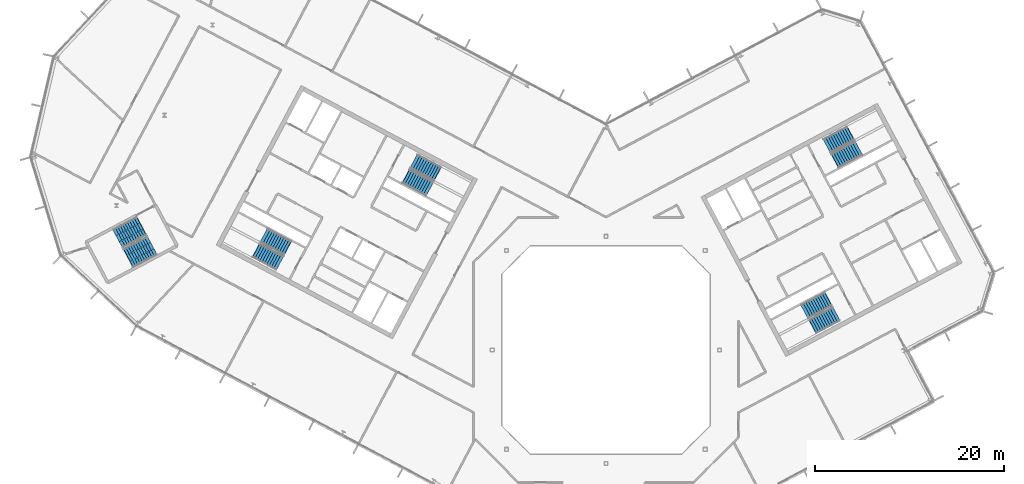
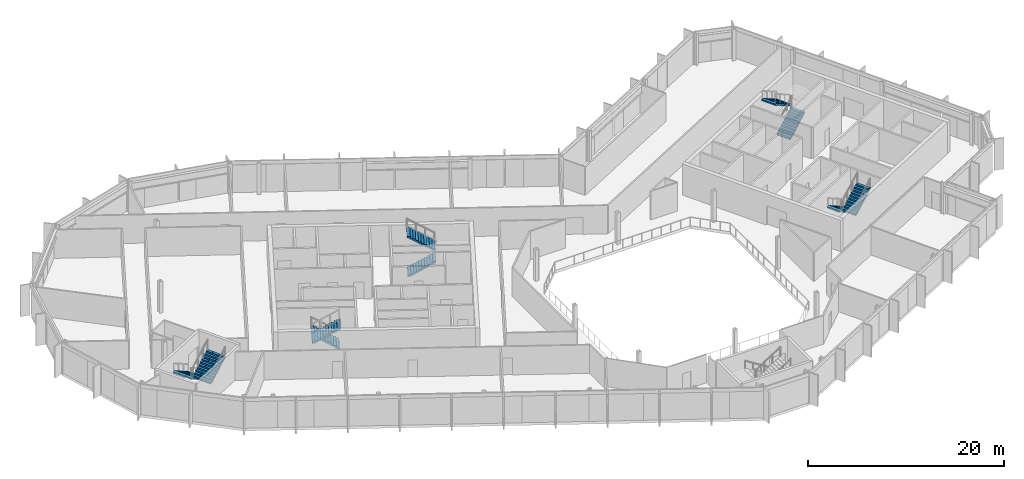
# One storey, part 18 of 26: 10 stair flights, 5 elements without a shape of their own.
"""IFC4 building model written with IfcOpenShell, lengths in metres."""

from ifc_helpers import new_model, si_unit, direction, frame, origin, place, context, subcontext, project, spatial, polyline, outline, extrude, material, type_object, element, aggregate, save


model = new_model("IFC4")

# Units and contexts
model_context = context("Model", 3, precision=1e-05, world=origin(), true_north=direction((0.0, 1.0)))
body_context = subcontext(model_context, "Body", "Model", "MODEL_VIEW")
ifc_project = project(units=[si_unit("LENGTHUNIT", "METRE"), si_unit("AREAUNIT", "SQUARE_METRE"), si_unit("VOLUMEUNIT", "CUBIC_METRE"), si_unit("PLANEANGLEUNIT", "RADIAN"), si_unit("MASSUNIT", "GRAM", prefix="KILO")], contexts=[model_context])

# Site, building, storey
site_placement = place(None, origin())
site = spatial("IfcSite", under=ifc_project, at=site_placement, CompositionType="ELEMENT")
building_placement = place(site_placement, origin())
building = spatial("IfcBuilding", under=site, at=building_placement, Name="Cormorant Relay Tower", CompositionType="ELEMENT")
storey_placement = place(building_placement, frame((0.0, 0.0, 269.699951171875)))
storey = spatial("IfcBuildingStorey", under=building, at=storey_placement, Name="L60", CompositionType="ELEMENT", Elevation=269.699951171875)

# Stair, stair flights
ifc_material_1 = material(Name="Concrete 40 MPa", Category="concrete")
stair_type_1 = type_object("IfcStairType", Name="Exit stair 1500", PredefinedType="HALF_TURN_STAIR", material=ifc_material_1)
stair_1_placement = place(storey_placement, origin())
stair_1 = element("IfcStair", 1, at=stair_1_placement, inside=storey, type_object=stair_type_1, Name="L60 Stair", PredefinedType="HALF_TURN_STAIR")
ifc_material_2 = material(Name="Concrete 40 MPa", Category="concrete")
stair_flight_type_1 = type_object("IfcStairFlightType", Name="Exit stair flight 1650", PredefinedType="STRAIGHT", material=ifc_material_2)
stair_flight_1_placement = place(storey_placement, frame((-21.114501953125, 18.33349609375, 0.0), z_axis=(0.0, 0.0, 1.0), x_axis=(0.882947592859, -0.469471562786, 0.0)))
stair_flight_1 = element("IfcStairFlight", 2, at=stair_flight_1_placement, type_object=stair_flight_type_1, Name="A1 flight 1", NumberOfRisers=11, NumberOfTreads=10, PredefinedType="STRAIGHT", RiserHeight=0.177272727, TreadLength=0.28, context=body_context, shape_type="SweptSolid", body=[
    extrude(outline(polyline([(-0.050048828125, -0.080078125), (-0.050048828125, 0.0), (0.0, 0.0), (0.0, 0.17724609375), (0.280029296875, 0.17724609375), (0.280029296875, 0.3544921875), (0.56005859375, 0.3544921875), (0.56005859375, 0.53173828125), (0.840087890625, 0.53173828125), (0.840087890625, 0.708984375), (1.1201171875, 0.708984375), (1.1201171875, 0.886474609375), (1.39990234375, 0.886474609375), (1.39990234375, 1.063720703125), (1.679931640625, 1.063720703125), (1.679931640625, 1.240966796875), (1.9599609375, 1.240966796875), (1.9599609375, 1.418212890625), (2.239990234375, 1.418212890625), (2.239990234375, 1.595458984375), (2.52001953125, 1.595458984375), (2.52001953125, 1.772705078125), (2.800048828125, 1.772705078125), (2.85009765625, 1.772705078125), (2.85009765625, 1.59521484375), (2.800048828125, 1.59521484375), (0.2802734375, 0.0), (-0.050048828125, -0.080078125)])), frame((0.0, 0.824951171875, 0.0), z_axis=(0.0, -1.0, 0.0), x_axis=(1.0, 0.0, 0.0)), (0.0, 0.0, 1.0), 1.64990234375),
])
stair_flight_2_placement = place(storey_placement, frame((-17.797119140625, 18.6083984375, 1.949951171875), z_axis=(0.0, 0.0, 1.0), x_axis=(-0.882947592859, 0.469471562786, 0.0)))
stair_flight_2 = element("IfcStairFlight", 3, at=stair_flight_2_placement, type_object=stair_flight_type_1, Name="A1 flight 2", NumberOfRisers=11, NumberOfTreads=10, PredefinedType="STRAIGHT", RiserHeight=0.177272727, TreadLength=0.28, context=body_context, shape_type="SweptSolid", body=[
    extrude(outline(polyline([(-0.050048828125, -0.080078125), (-0.050048828125, 0.0), (0.0, 0.0), (0.0, 0.17724609375), (0.280029296875, 0.17724609375), (0.280029296875, 0.3544921875), (0.56005859375, 0.3544921875), (0.56005859375, 0.53173828125), (0.840087890625, 0.53173828125), (0.840087890625, 0.708984375), (1.1201171875, 0.708984375), (1.1201171875, 0.886474609375), (1.39990234375, 0.886474609375), (1.39990234375, 1.063720703125), (1.679931640625, 1.063720703125), (1.679931640625, 1.240966796875), (1.9599609375, 1.240966796875), (1.9599609375, 1.418212890625), (2.239990234375, 1.418212890625), (2.239990234375, 1.595458984375), (2.52001953125, 1.595458984375), (2.52001953125, 1.772705078125), (2.800048828125, 1.772705078125), (2.85009765625, 1.772705078125), (2.85009765625, 1.59521484375), (2.800048828125, 1.59521484375), (0.2802734375, 0.0), (-0.050048828125, -0.080078125)])), frame((0.0, 0.824951171875, 0.0), z_axis=(0.0, -1.0, 0.0), x_axis=(1.0, 0.0, 0.0)), (0.0, 0.0, 1.0), 1.64990234375),
])
aggregate(stair_1, [stair_flight_1, stair_flight_2])

stair_2_placement = place(storey_placement, origin())
stair_2 = element("IfcStair", 4, at=stair_2_placement, inside=storey, type_object=stair_type_1, Name="L60 Stair", PredefinedType="HALF_TURN_STAIR")
stair_flight_3_placement = place(storey_placement, frame((-33.62841796875, 10.773681640625, 0.0), z_axis=(0.0, 0.0, 1.0), x_axis=(-0.882947592859, 0.469471562786, 0.0)))
stair_flight_3 = element("IfcStairFlight", 5, at=stair_flight_3_placement, type_object=stair_flight_type_1, Name="A2 flight 1", NumberOfRisers=11, NumberOfTreads=10, PredefinedType="STRAIGHT", RiserHeight=0.177272727, TreadLength=0.28, context=body_context, shape_type="SweptSolid", body=[
    extrude(outline(polyline([(-0.050048828125, -0.080078125), (-0.050048828125, 0.0), (0.0, 0.0), (0.0, 0.17724609375), (0.280029296875, 0.17724609375), (0.280029296875, 0.3544921875), (0.56005859375, 0.3544921875), (0.56005859375, 0.53173828125), (0.840087890625, 0.53173828125), (0.840087890625, 0.708984375), (1.1201171875, 0.708984375), (1.1201171875, 0.886474609375), (1.39990234375, 0.886474609375), (1.39990234375, 1.063720703125), (1.679931640625, 1.063720703125), (1.679931640625, 1.240966796875), (1.9599609375, 1.240966796875), (1.9599609375, 1.418212890625), (2.239990234375, 1.418212890625), (2.239990234375, 1.595458984375), (2.52001953125, 1.595458984375), (2.52001953125, 1.772705078125), (2.800048828125, 1.772705078125), (2.85009765625, 1.772705078125), (2.85009765625, 1.59521484375), (2.800048828125, 1.59521484375), (0.2802734375, 0.0), (-0.050048828125, -0.080078125)])), frame((0.0, 0.824951171875, 0.0), z_axis=(0.0, -1.0, 0.0), x_axis=(1.0, 0.0, 0.0)), (0.0, 0.0, 1.0), 1.64990234375),
])
stair_flight_4_placement = place(storey_placement, frame((-36.945556640625, 10.498779296875, 1.949951171875), z_axis=(0.0, 0.0, 1.0), x_axis=(0.882947592859, -0.469471562786, 0.0)))
stair_flight_4 = element("IfcStairFlight", 6, at=stair_flight_4_placement, type_object=stair_flight_type_1, Name="A2 flight 2", NumberOfRisers=11, NumberOfTreads=10, PredefinedType="STRAIGHT", RiserHeight=0.177272727, TreadLength=0.28, context=body_context, shape_type="SweptSolid", body=[
    extrude(outline(polyline([(-0.050048828125, -0.080078125), (-0.050048828125, 0.0), (0.0, 0.0), (0.0, 0.17724609375), (0.280029296875, 0.17724609375), (0.280029296875, 0.3544921875), (0.56005859375, 0.3544921875), (0.56005859375, 0.53173828125), (0.840087890625, 0.53173828125), (0.840087890625, 0.708984375), (1.1201171875, 0.708984375), (1.1201171875, 0.886474609375), (1.39990234375, 0.886474609375), (1.39990234375, 1.063720703125), (1.679931640625, 1.063720703125), (1.679931640625, 1.240966796875), (1.9599609375, 1.240966796875), (1.9599609375, 1.418212890625), (2.239990234375, 1.418212890625), (2.239990234375, 1.595458984375), (2.52001953125, 1.595458984375), (2.52001953125, 1.772705078125), (2.800048828125, 1.772705078125), (2.85009765625, 1.772705078125), (2.85009765625, 1.59521484375), (2.800048828125, 1.59521484375), (0.2802734375, 0.0), (-0.050048828125, -0.080078125)])), frame((0.0, 0.824951171875, 0.0), z_axis=(0.0, -1.0, 0.0), x_axis=(1.0, 0.0, 0.0)), (0.0, 0.0, 1.0), 1.64990234375),
])
aggregate(stair_2, [stair_flight_3, stair_flight_4])

stair_3_placement = place(storey_placement, origin())
stair_3 = element("IfcStair", 7, at=stair_3_placement, inside=storey, type_object=stair_type_1, Name="L60 Stair", PredefinedType="HALF_TURN_STAIR")
stair_flight_5_placement = place(storey_placement, frame((23.474365234375, 5.374755859375, 0.0), z_axis=(0.0, 0.0, 1.0), x_axis=(-0.882947592859, -0.469471562786, 0.0)))
stair_flight_5 = element("IfcStairFlight", 8, at=stair_flight_5_placement, type_object=stair_flight_type_1, Name="B1 flight 1", NumberOfRisers=11, NumberOfTreads=10, PredefinedType="STRAIGHT", RiserHeight=0.177272727, TreadLength=0.28, context=body_context, shape_type="SweptSolid", body=[
    extrude(outline(polyline([(-0.050048828125, -0.080078125), (-0.050048828125, 0.0), (0.0, 0.0), (0.0, 0.17724609375), (0.280029296875, 0.17724609375), (0.280029296875, 0.3544921875), (0.56005859375, 0.3544921875), (0.56005859375, 0.53173828125), (0.840087890625, 0.53173828125), (0.840087890625, 0.708984375), (1.1201171875, 0.708984375), (1.1201171875, 0.886474609375), (1.39990234375, 0.886474609375), (1.39990234375, 1.063720703125), (1.679931640625, 1.063720703125), (1.679931640625, 1.240966796875), (1.9599609375, 1.240966796875), (1.9599609375, 1.418212890625), (2.239990234375, 1.418212890625), (2.239990234375, 1.595458984375), (2.52001953125, 1.595458984375), (2.52001953125, 1.772705078125), (2.800048828125, 1.772705078125), (2.85009765625, 1.772705078125), (2.85009765625, 1.59521484375), (2.800048828125, 1.59521484375), (0.2802734375, 0.0), (-0.050048828125, -0.080078125)])), frame((0.0, 0.824951171875, 0.0), z_axis=(0.0, -1.0, 0.0), x_axis=(1.0, 0.0, 0.0)), (0.0, 0.0, 1.0), 1.64990234375),
])
stair_flight_6_placement = place(storey_placement, frame((21.84716796875, 2.470947265625, 1.949951171875), z_axis=(0.0, 0.0, 1.0), x_axis=(0.882947592859, 0.469471562786, 0.0)))
stair_flight_6 = element("IfcStairFlight", 9, at=stair_flight_6_placement, type_object=stair_flight_type_1, Name="B1 flight 2", NumberOfRisers=11, NumberOfTreads=10, PredefinedType="STRAIGHT", RiserHeight=0.177272727, TreadLength=0.28, context=body_context, shape_type="SweptSolid", body=[
    extrude(outline(polyline([(-0.050048828125, -0.080078125), (-0.050048828125, 0.0), (0.0, 0.0), (0.0, 0.17724609375), (0.280029296875, 0.17724609375), (0.280029296875, 0.3544921875), (0.56005859375, 0.3544921875), (0.56005859375, 0.53173828125), (0.840087890625, 0.53173828125), (0.840087890625, 0.708984375), (1.1201171875, 0.708984375), (1.1201171875, 0.886474609375), (1.39990234375, 0.886474609375), (1.39990234375, 1.063720703125), (1.679931640625, 1.063720703125), (1.679931640625, 1.240966796875), (1.9599609375, 1.240966796875), (1.9599609375, 1.418212890625), (2.239990234375, 1.418212890625), (2.239990234375, 1.595458984375), (2.52001953125, 1.595458984375), (2.52001953125, 1.772705078125), (2.800048828125, 1.772705078125), (2.85009765625, 1.772705078125), (2.85009765625, 1.59521484375), (2.800048828125, 1.59521484375), (0.2802734375, 0.0), (-0.050048828125, -0.080078125)])), frame((0.0, 0.824951171875, 0.0), z_axis=(0.0, -1.0, 0.0), x_axis=(1.0, 0.0, 0.0)), (0.0, 0.0, 1.0), 1.64990234375),
])
aggregate(stair_3, [stair_flight_5, stair_flight_6])

stair_4_placement = place(storey_placement, origin())
stair_4 = element("IfcStair", 10, at=stair_4_placement, inside=storey, type_object=stair_type_1, Name="L60 Stair", PredefinedType="HALF_TURN_STAIR")
stair_flight_7_placement = place(storey_placement, frame((24.20458984375, 19.976806640625, 0.0), z_axis=(0.0, 0.0, 1.0), x_axis=(0.882947592859, 0.469471562786, 0.0)))
stair_flight_7 = element("IfcStairFlight", 11, at=stair_flight_7_placement, type_object=stair_flight_type_1, Name="B2 flight 1", NumberOfRisers=11, NumberOfTreads=10, PredefinedType="STRAIGHT", RiserHeight=0.177272727, TreadLength=0.28, context=body_context, shape_type="SweptSolid", body=[
    extrude(outline(polyline([(-0.050048828125, -0.080078125), (-0.050048828125, 0.0), (0.0, 0.0), (0.0, 0.17724609375), (0.280029296875, 0.17724609375), (0.280029296875, 0.3544921875), (0.56005859375, 0.3544921875), (0.56005859375, 0.53173828125), (0.840087890625, 0.53173828125), (0.840087890625, 0.708984375), (1.1201171875, 0.708984375), (1.1201171875, 0.886474609375), (1.39990234375, 0.886474609375), (1.39990234375, 1.063720703125), (1.679931640625, 1.063720703125), (1.679931640625, 1.240966796875), (1.9599609375, 1.240966796875), (1.9599609375, 1.418212890625), (2.239990234375, 1.418212890625), (2.239990234375, 1.595458984375), (2.52001953125, 1.595458984375), (2.52001953125, 1.772705078125), (2.800048828125, 1.772705078125), (2.85009765625, 1.772705078125), (2.85009765625, 1.59521484375), (2.800048828125, 1.59521484375), (0.2802734375, 0.0), (-0.050048828125, -0.080078125)])), frame((0.0, 0.824951171875, 0.0), z_axis=(0.0, -1.0, 0.0), x_axis=(1.0, 0.0, 0.0)), (0.0, 0.0, 1.0), 1.64990234375),
])
stair_flight_8_placement = place(storey_placement, frame((25.831787109375, 22.880615234375, 1.949951171875), z_axis=(0.0, 0.0, 1.0), x_axis=(-0.882947592859, -0.469471562786, 0.0)))
stair_flight_8 = element("IfcStairFlight", 12, at=stair_flight_8_placement, type_object=stair_flight_type_1, Name="B2 flight 2", NumberOfRisers=11, NumberOfTreads=10, PredefinedType="STRAIGHT", RiserHeight=0.177272727, TreadLength=0.28, context=body_context, shape_type="SweptSolid", body=[
    extrude(outline(polyline([(-0.050048828125, -0.080078125), (-0.050048828125, 0.0), (0.0, 0.0), (0.0, 0.17724609375), (0.280029296875, 0.17724609375), (0.280029296875, 0.3544921875), (0.56005859375, 0.3544921875), (0.56005859375, 0.53173828125), (0.840087890625, 0.53173828125), (0.840087890625, 0.708984375), (1.1201171875, 0.708984375), (1.1201171875, 0.886474609375), (1.39990234375, 0.886474609375), (1.39990234375, 1.063720703125), (1.679931640625, 1.063720703125), (1.679931640625, 1.240966796875), (1.9599609375, 1.240966796875), (1.9599609375, 1.418212890625), (2.239990234375, 1.418212890625), (2.239990234375, 1.595458984375), (2.52001953125, 1.595458984375), (2.52001953125, 1.772705078125), (2.800048828125, 1.772705078125), (2.85009765625, 1.772705078125), (2.85009765625, 1.59521484375), (2.800048828125, 1.59521484375), (0.2802734375, 0.0), (-0.050048828125, -0.080078125)])), frame((0.0, 0.824951171875, 0.0), z_axis=(0.0, -1.0, 0.0), x_axis=(1.0, 0.0, 0.0)), (0.0, 0.0, 1.0), 1.64990234375),
])
aggregate(stair_4, [stair_flight_7, stair_flight_8])

ifc_material_3 = material(Name="Concrete 40 MPa", Category="concrete")
stair_type_2 = type_object("IfcStairType", Name="Remote exit stair 2200", PredefinedType="HALF_TURN_STAIR", material=ifc_material_3)
stair_5_placement = place(storey_placement, origin())
stair_5 = element("IfcStair", 13, at=stair_5_placement, inside=storey, type_object=stair_type_2, Name="L60 Stair", PredefinedType="HALF_TURN_STAIR")
ifc_material_4 = material(Name="Concrete 40 MPa", Category="concrete")
stair_flight_type_2 = type_object("IfcStairFlightType", Name="Remote exit stair flight 2200", PredefinedType="STRAIGHT", material=ifc_material_4)
stair_flight_9_placement = place(storey_placement, frame((-49.062255859375, 13.08251953125, 0.0), z_axis=(0.0, 0.0, 1.0), x_axis=(-0.882947502727, -0.4694717323, 0.0)))
stair_flight_9 = element("IfcStairFlight", 14, at=stair_flight_9_placement, type_object=stair_flight_type_2, Name="RP1 flight 1", NumberOfRisers=11, NumberOfTreads=10, PredefinedType="STRAIGHT", RiserHeight=0.177272727, TreadLength=0.28, context=body_context, shape_type="SweptSolid", body=[
    extrude(outline(polyline([(-0.050048828125, -0.080078125), (-0.050048828125, 0.0), (0.0, 0.0), (0.0, 0.17724609375), (0.280029296875, 0.17724609375), (0.280029296875, 0.3544921875), (0.56005859375, 0.3544921875), (0.56005859375, 0.53173828125), (0.840087890625, 0.53173828125), (0.840087890625, 0.708984375), (1.1201171875, 0.708984375), (1.1201171875, 0.886474609375), (1.39990234375, 0.886474609375), (1.39990234375, 1.063720703125), (1.679931640625, 1.063720703125), (1.679931640625, 1.240966796875), (1.9599609375, 1.240966796875), (1.9599609375, 1.418212890625), (2.239990234375, 1.418212890625), (2.239990234375, 1.595458984375), (2.52001953125, 1.595458984375), (2.52001953125, 1.772705078125), (2.800048828125, 1.772705078125), (2.85009765625, 1.772705078125), (2.85009765625, 1.59521484375), (2.800048828125, 1.59521484375), (0.2802734375, 0.0), (-0.050048828125, -0.080078125)])), frame((0.0, 1.10009765625, 0.0), z_axis=(0.0, -1.0, 0.0), x_axis=(1.0, 0.0, 0.0)), (0.0, 0.0, 1.0), 0.719970703125),
    extrude(outline(polyline([(-0.050048828125, -0.080078125), (-0.050048828125, 0.0), (0.0, 0.0), (0.0, 0.17724609375), (0.280029296875, 0.17724609375), (0.280029296875, 0.3544921875), (0.56005859375, 0.3544921875), (0.56005859375, 0.53173828125), (0.840087890625, 0.53173828125), (0.840087890625, 0.708984375), (1.1201171875, 0.708984375), (1.1201171875, 0.886474609375), (1.39990234375, 0.886474609375), (1.39990234375, 1.063720703125), (1.679931640625, 1.063720703125), (1.679931640625, 1.240966796875), (1.9599609375, 1.240966796875), (1.9599609375, 1.418212890625), (2.239990234375, 1.418212890625), (2.239990234375, 1.595458984375), (2.52001953125, 1.595458984375), (2.52001953125, 1.772705078125), (2.800048828125, 1.772705078125), (2.85009765625, 1.772705078125), (2.85009765625, 1.59521484375), (2.800048828125, 1.59521484375), (0.2802734375, 0.0), (-0.050048828125, -0.080078125)])), frame((0.0, 0.360107421875, 0.0), z_axis=(0.0, -1.0, 0.0), x_axis=(1.0, 0.0, 0.0)), (0.0, 0.0, 1.0), 0.719970703125),
    extrude(outline(polyline([(-0.050048828125, -0.080078125), (-0.050048828125, 0.0), (0.0, 0.0), (0.0, 0.17724609375), (0.280029296875, 0.17724609375), (0.280029296875, 0.3544921875), (0.56005859375, 0.3544921875), (0.56005859375, 0.53173828125), (0.840087890625, 0.53173828125), (0.840087890625, 0.708984375), (1.1201171875, 0.708984375), (1.1201171875, 0.886474609375), (1.39990234375, 0.886474609375), (1.39990234375, 1.063720703125), (1.679931640625, 1.063720703125), (1.679931640625, 1.240966796875), (1.9599609375, 1.240966796875), (1.9599609375, 1.418212890625), (2.239990234375, 1.418212890625), (2.239990234375, 1.595458984375), (2.52001953125, 1.595458984375), (2.52001953125, 1.772705078125), (2.800048828125, 1.772705078125), (2.85009765625, 1.772705078125), (2.85009765625, 1.59521484375), (2.800048828125, 1.59521484375), (0.2802734375, 0.0), (-0.050048828125, -0.080078125)])), frame((0.0, -0.3798828125, 0.0), z_axis=(0.0, -1.0, 0.0), x_axis=(1.0, 0.0, 0.0)), (0.0, 0.0, 1.0), 0.719970703125),
])
stair_flight_10_placement = place(storey_placement, frame((-50.431396484375, 9.693115234375, 1.949951171875), z_axis=(0.0, 0.0, 1.0), x_axis=(0.882947502727, 0.4694717323, 0.0)))
stair_flight_10 = element("IfcStairFlight", 15, at=stair_flight_10_placement, type_object=stair_flight_type_2, Name="RP1 flight 2", NumberOfRisers=11, NumberOfTreads=10, PredefinedType="STRAIGHT", RiserHeight=0.177272727, TreadLength=0.28, context=body_context, shape_type="SweptSolid", body=[
    extrude(outline(polyline([(-0.050048828125, -0.080078125), (-0.050048828125, 0.0), (0.0, 0.0), (0.0, 0.17724609375), (0.280029296875, 0.17724609375), (0.280029296875, 0.3544921875), (0.56005859375, 0.3544921875), (0.56005859375, 0.53173828125), (0.840087890625, 0.53173828125), (0.840087890625, 0.708984375), (1.1201171875, 0.708984375), (1.1201171875, 0.886474609375), (1.39990234375, 0.886474609375), (1.39990234375, 1.063720703125), (1.679931640625, 1.063720703125), (1.679931640625, 1.240966796875), (1.9599609375, 1.240966796875), (1.9599609375, 1.418212890625), (2.239990234375, 1.418212890625), (2.239990234375, 1.595458984375), (2.52001953125, 1.595458984375), (2.52001953125, 1.772705078125), (2.800048828125, 1.772705078125), (2.85009765625, 1.772705078125), (2.85009765625, 1.59521484375), (2.800048828125, 1.59521484375), (0.2802734375, 0.0), (-0.050048828125, -0.080078125)])), frame((0.0, 1.10009765625, 0.0), z_axis=(0.0, -1.0, 0.0), x_axis=(1.0, 0.0, 0.0)), (0.0, 0.0, 1.0), 0.719970703125),
    extrude(outline(polyline([(-0.050048828125, -0.080078125), (-0.050048828125, 0.0), (0.0, 0.0), (0.0, 0.17724609375), (0.280029296875, 0.17724609375), (0.280029296875, 0.3544921875), (0.56005859375, 0.3544921875), (0.56005859375, 0.53173828125), (0.840087890625, 0.53173828125), (0.840087890625, 0.708984375), (1.1201171875, 0.708984375), (1.1201171875, 0.886474609375), (1.39990234375, 0.886474609375), (1.39990234375, 1.063720703125), (1.679931640625, 1.063720703125), (1.679931640625, 1.240966796875), (1.9599609375, 1.240966796875), (1.9599609375, 1.418212890625), (2.239990234375, 1.418212890625), (2.239990234375, 1.595458984375), (2.52001953125, 1.595458984375), (2.52001953125, 1.772705078125), (2.800048828125, 1.772705078125), (2.85009765625, 1.772705078125), (2.85009765625, 1.59521484375), (2.800048828125, 1.59521484375), (0.2802734375, 0.0), (-0.050048828125, -0.080078125)])), frame((0.0, 0.360107421875, 0.0), z_axis=(0.0, -1.0, 0.0), x_axis=(1.0, 0.0, 0.0)), (0.0, 0.0, 1.0), 0.719970703125),
    extrude(outline(polyline([(-0.050048828125, -0.080078125), (-0.050048828125, 0.0), (0.0, 0.0), (0.0, 0.17724609375), (0.280029296875, 0.17724609375), (0.280029296875, 0.3544921875), (0.56005859375, 0.3544921875), (0.56005859375, 0.53173828125), (0.840087890625, 0.53173828125), (0.840087890625, 0.708984375), (1.1201171875, 0.708984375), (1.1201171875, 0.886474609375), (1.39990234375, 0.886474609375), (1.39990234375, 1.063720703125), (1.679931640625, 1.063720703125), (1.679931640625, 1.240966796875), (1.9599609375, 1.240966796875), (1.9599609375, 1.418212890625), (2.239990234375, 1.418212890625), (2.239990234375, 1.595458984375), (2.52001953125, 1.595458984375), (2.52001953125, 1.772705078125), (2.800048828125, 1.772705078125), (2.85009765625, 1.772705078125), (2.85009765625, 1.59521484375), (2.800048828125, 1.59521484375), (0.2802734375, 0.0), (-0.050048828125, -0.080078125)])), frame((0.0, -0.3798828125, 0.0), z_axis=(0.0, -1.0, 0.0), x_axis=(1.0, 0.0, 0.0)), (0.0, 0.0, 1.0), 0.719970703125),
])
aggregate(stair_5, [stair_flight_9, stair_flight_10])

save(model, "model.ifc")
